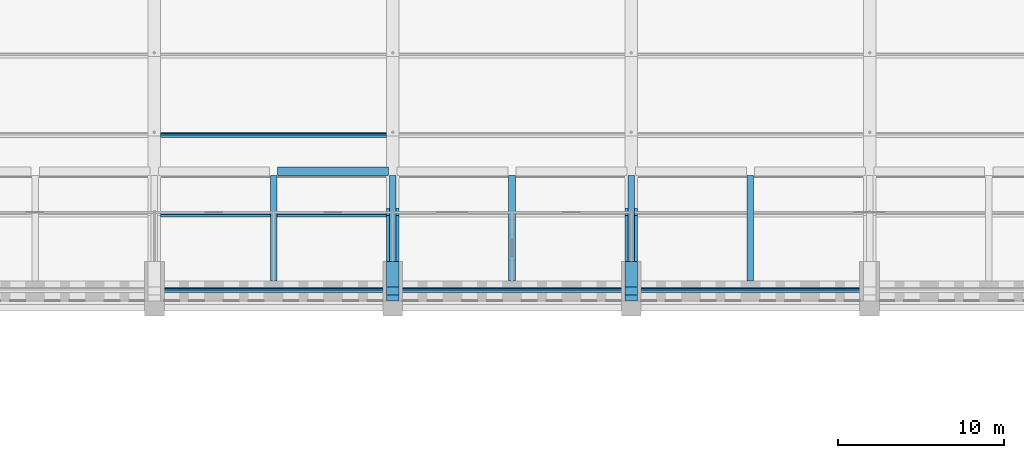
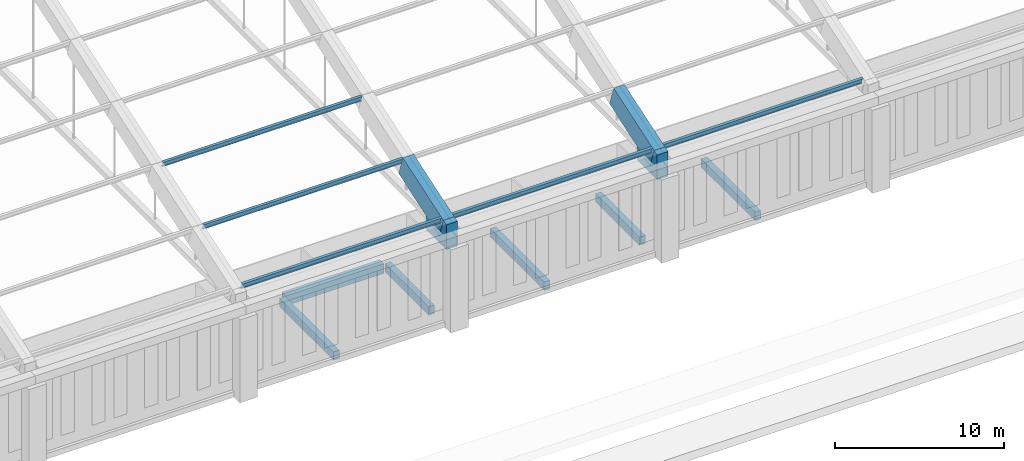
# One storey, part 13 of 149: 8 beams, 7 members.
"""IFC4 building model written with IfcOpenShell, lengths in metres."""

import ifcopenshell
import ifcopenshell.guid

model = None  # the IFC model being written
_history = None  # IfcOwnerHistory: only IFC2X3 demands one
_inside = {}  # id of a spatial element -> (the spatial element, [elements in it])
_under = {}  # id of a project, library or spatial element -> (it, [spatial elements below it])
_declared = {}  # id of a project -> (the project, [libraries it declares])
_typed = {}  # id of a type object -> (the type object, [elements of that type])
_made_of = {}  # id of a material, layer set ... -> (it, [elements and type objects made of it])


def new_model(schema):
    """Start an empty IFC model of exactly this schema.

    Asked for "IFC4X3", IfcOpenShell would pick the latest addendum, in which some entities
    have other attributes; the version numbers below select the first issue.
    IFC2X3 requires an IfcOwnerHistory on every rooted entity: one is made here for all.
    """
    global model, _history
    if schema == "IFC4X3":
        model = ifcopenshell.file(schema_version=(4, 3, 0, 0))
    else:
        model = ifcopenshell.file(schema=schema)
    _inside.clear()
    _under.clear()
    _declared.clear()
    _typed.clear()
    _made_of.clear()
    _history = None
    if model.schema == "IFC2X3":
        org = make("IfcOrganization", Name="unknown")
        user = make(
            "IfcPersonAndOrganization",
            ThePerson=make("IfcPerson", FamilyName="unknown"),
            TheOrganization=org,
        )
        app = make(
            "IfcApplication",
            ApplicationDeveloper=org,
            Version="unknown",
            ApplicationFullName="unknown",
            ApplicationIdentifier="unknown",
        )
        _history = make(
            "IfcOwnerHistory",
            OwningUser=user,
            OwningApplication=app,
            ChangeAction="ADDED",
            CreationDate=0,
        )
    return model


def make(cls, **values):
    """One entity of the class cls with the attributes given. An attribute that is None is left unset."""
    return model.create_entity(
        cls, **{name: value for name, value in values.items() if value is not None}
    )


def rooted(cls, **values):
    """An entity with a GlobalId (a new one), such as an element, a storey or a relation."""
    return make(cls, GlobalId=ifcopenshell.guid.new(), OwnerHistory=_history, **values)


def si_unit(unit_type, name, prefix=None):
    """IfcSIUnit, for example si_unit("LENGTHUNIT", "METRE", prefix="MILLI")."""
    return make("IfcSIUnit", UnitType=unit_type, Prefix=prefix, Name=name)


def assignment(units):
    """IfcUnitAssignment: the units of a project."""
    return None if units is None else make("IfcUnitAssignment", Units=units)


def point(xyz):
    """IfcCartesianPoint."""
    return None if xyz is None else make("IfcCartesianPoint", Coordinates=xyz)


def direction(xyz):
    """IfcDirection."""
    return None if xyz is None else make("IfcDirection", DirectionRatios=xyz)


def frame(location, z_axis=None, x_axis=None):
    """IfcAxis2Placement3D, a coordinate frame: its origin and axes. An axis left out is left unset."""
    return make(
        "IfcAxis2Placement3D",
        Location=point(location),
        Axis=direction(z_axis),
        RefDirection=direction(x_axis),
    )


def frame_2d(location, x_axis=None):
    """IfcAxis2Placement2D, a coordinate frame in the plane: its origin and x axis."""
    return make(
        "IfcAxis2Placement2D", Location=point(location), RefDirection=direction(x_axis)
    )


def origin():
    """The frame at (0, 0, 0) with its axes left unset."""
    return frame((0.0, 0.0, 0.0))


def origin_2d():
    """The frame at (0, 0) in the plane with its x axis left unset."""
    return frame_2d((0.0, 0.0))


def place(relative_to, where):
    """IfcLocalPlacement: puts the frame where relative to a parent placement (None: the world)."""
    return make(
        "IfcLocalPlacement", PlacementRelTo=relative_to, RelativePlacement=where
    )


def context(
    kind, dimensions, precision=None, world=None, true_north=None, identifier=None
):
    """IfcGeometricRepresentationContext, for example the 3D "Model" context."""
    return make(
        "IfcGeometricRepresentationContext",
        ContextIdentifier=identifier,
        ContextType=kind,
        CoordinateSpaceDimension=dimensions,
        Precision=precision,
        WorldCoordinateSystem=world,
        TrueNorth=true_north,
    )


def subcontext(parent, identifier, kind, view, scale=None):
    """IfcGeometricRepresentationSubContext, for example "Body" below "Model"."""
    return make(
        "IfcGeometricRepresentationSubContext",
        ContextIdentifier=identifier,
        ContextType=kind,
        ParentContext=parent,
        TargetScale=scale,
        TargetView=view,
    )


def project(units=None, contexts=None):
    """IfcProject with its units and contexts."""
    return rooted(
        "IfcProject",
        Name="project",
        RepresentationContexts=contexts,
        UnitsInContext=assignment(units),
    )


def spatial(cls, under=None, at=None, **own):
    """A site, building, storey or space (cls), placed at a placement, below another one or the project."""
    s = rooted(cls, ObjectPlacement=at, **own)
    if under is not None:
        _under.setdefault(under.id(), (under, []))[1].append(s)
    return s


def polyline(points):
    """IfcPolyline through the points."""
    return make("IfcPolyline", Points=[point(p) for p in points])


def profile(cls, at=None, kind="AREA", **sizes):
    """A parametric profile (cls). Its sizes go by their IFC names, for example OverallWidth=200.0."""
    return make(cls, ProfileType=kind, Position=at, **sizes)


def rectangle(**sizes):
    """IfcRectangleProfileDef."""
    return profile("IfcRectangleProfileDef", **sizes)


def i_section(**sizes):
    """IfcIShapeProfileDef."""
    return profile("IfcIShapeProfileDef", **sizes)


def outline(outer, holes=None, kind="AREA"):
    """IfcArbitraryClosedProfileDef: a profile drawn as a closed curve; with holes, ...WithVoids."""
    if holes is None:
        return make("IfcArbitraryClosedProfileDef", ProfileType=kind, OuterCurve=outer)
    return make(
        "IfcArbitraryProfileDefWithVoids",
        ProfileType=kind,
        OuterCurve=outer,
        InnerCurves=holes,
    )


def extrude(swept, where, along, depth):
    """IfcExtrudedAreaSolid: the profile swept, set in the frame where, extruded along a direction by depth."""
    return make(
        "IfcExtrudedAreaSolid",
        SweptArea=swept,
        Position=where,
        ExtrudedDirection=direction(along),
        Depth=depth,
    )


def shape(context_of_items, identifier, shape_type, items):
    """IfcShapeRepresentation: the items that make up one representation, for example the "Body"."""
    return make(
        "IfcShapeRepresentation",
        ContextOfItems=context_of_items,
        RepresentationIdentifier=identifier,
        RepresentationType=shape_type,
        Items=items,
    )


def material(Name=None, Category=None):
    """IfcMaterial."""
    return make("IfcMaterial", Name=Name, Category=Category)


def material_profile(
    of_material, cross_section, Name=None, Category=None, Priority=None
):
    """IfcMaterialProfile: a cross section and its material."""
    return make(
        "IfcMaterialProfile",
        Name=Name,
        Material=of_material,
        Profile=cross_section,
        Priority=Priority,
        Category=Category,
    )


def profile_set(profiles, Name=None, composite=None):
    """IfcMaterialProfileSet."""
    return make(
        "IfcMaterialProfileSet",
        Name=Name,
        MaterialProfiles=profiles,
        CompositeProfile=composite,
    )


def made_of(thing, what):
    """Note that an element or type object is made of a material, layer set ...; save() writes the relation."""
    if what is not None:
        _made_of.setdefault(what.id(), (what, []))[1].append(thing)
    return thing


def type_object(cls, material=None, **own):
    """A type object (cls), such as IfcWallType, which elements share."""
    return made_of(rooted(cls, **own), material)


def element(
    cls,
    number,
    at=None,
    inside=None,
    cuts=None,
    type_object=None,
    material=None,
    context=None,
    identifier="Body",
    shape_type=None,
    held_by="IfcProductDefinitionShape",
    body=None,
    shapes=None,
    **own,
):
    """One element of the class cls, such as IfcWall. Its Tag is "e" and its number.

    at: its placement. inside: the storey or other place that contains it. cuts: it is an
    opening in that element (IfcRelVoidsElement). A single representation is given by context,
    identifier, shape_type and body (its items); several are given by shapes. held_by: the class
    of the entity that holds the representations. save() writes the other relations.
    """
    e = rooted(cls, Tag="e%d" % number, ObjectPlacement=at, **own)
    if body is not None:
        shapes = [shape(context, identifier, shape_type, body)]
    if shapes is not None:
        e.Representation = make(held_by, Representations=shapes)
    if inside is not None:
        _inside.setdefault(inside.id(), (inside, []))[1].append(e)
    if cuts is not None:
        rooted(
            "IfcRelVoidsElement", RelatingBuildingElement=cuts, RelatedOpeningElement=e
        )
    if type_object is not None:
        _typed.setdefault(type_object.id(), (type_object, []))[1].append(e)
    return made_of(e, material)


def aggregate(whole, parts):
    """IfcRelAggregates: a whole, such as a stair, and the parts it consists of."""
    return rooted("IfcRelAggregates", RelatingObject=whole, RelatedObjects=parts)


def save(model, path):
    """Write the relations noted so far, then the file.

    IfcRelAggregates (storeys below a building ...), IfcRelContainedInSpatialStructure (elements
    in a storey), IfcRelDefinesByType, IfcRelAssociatesMaterial and IfcRelDeclares: one each for
    every whole, place, type object, material and project.
    """
    for whole, parts in _under.values():
        aggregate(whole, parts)
    for where, things in _inside.values():
        rooted(
            "IfcRelContainedInSpatialStructure",
            RelatedElements=things,
            RelatingStructure=where,
        )
    for kind, things in _typed.values():
        rooted("IfcRelDefinesByType", RelatedObjects=things, RelatingType=kind)
    for what, things in _made_of.values():
        rooted("IfcRelAssociatesMaterial", RelatedObjects=things, RelatingMaterial=what)
    for by, libraries in _declared.values():
        rooted("IfcRelDeclares", RelatingContext=by, RelatedDefinitions=libraries)
    model.write(path)


model = new_model("IFC4")

# Units and contexts
model_context = context("Model", 3, precision=1e-05, world=origin(), true_north=direction((0.0, 1.0)))
body_context = subcontext(model_context, "Body", "Model", "MODEL_VIEW")
ifc_project = project(units=[si_unit("LENGTHUNIT", "METRE"), si_unit("AREAUNIT", "SQUARE_METRE"), si_unit("VOLUMEUNIT", "CUBIC_METRE"), si_unit("PLANEANGLEUNIT", "RADIAN"), si_unit("MASSUNIT", "GRAM", prefix="KILO")], contexts=[model_context])

# Site, building, storey
site_placement = place(None, origin())
site = spatial("IfcSite", under=ifc_project, at=site_placement, CompositionType="ELEMENT")
building_placement = place(site_placement, origin())
building = spatial("IfcBuilding", under=site, at=building_placement, Name="Alderwick Market Hall", CompositionType="ELEMENT")
storey_placement = place(building_placement, frame((0.0, 0.0, 9.60009765625)))
storey = spatial("IfcBuildingStorey", under=building, at=storey_placement, Name="L01", CompositionType="ELEMENT", Elevation=9.60009765625)

# Beams
ifc_material_1 = material(Name="Concrete 5000 psi (f'c 35 MPa)", Category="concrete")
ifc_material_profile_1 = material_profile(ifc_material_1, rectangle(XDim=0.5, YDim=0.699951171875, at=origin_2d()), Name="RC 500x700")
ifc_profile_set_1 = profile_set([ifc_material_profile_1], Name="Concrete 5000 psi (f'c 35 MPa)")
beam_type_1 = type_object("IfcBeamType", Name="H Edge beam 500x700", PredefinedType="BEAM", material=ifc_profile_set_1)
beam_1_placement = place(storey_placement, frame((86.64990234375, 57.639892578125, -0.60009765625), z_axis=(1.0, 0.0, 0.0), x_axis=(0.0, 1.0, 0.0)))
element("IfcBeam", 1, at=beam_1_placement, inside=storey, type_object=beam_type_1, Name="Gallery edge beam S", PredefinedType="BEAM", context=body_context, shape_type="SweptSolid", body=[
    extrude(rectangle(XDim=0.5, YDim=0.699951171875, at=origin_2d()), origin(), (0.0, 0.0, 1.0), 6.7001953125),
])
ifc_material_profile_2 = material_profile(ifc_material_1, rectangle(XDim=0.39990234375, YDim=0.60009765625, at=origin_2d()), Name="RC 400x600")
ifc_profile_set_2 = profile_set([ifc_material_profile_2], Name="Concrete 5000 psi (f'c 35 MPa)")
beam_type_2 = type_object("IfcBeamType", Name="H Gallery beam 400x600", PredefinedType="BEAM", material=ifc_profile_set_2)
beam_2_placement = place(storey_placement, frame((86.39990234375, 51.0, -0.550048828125), z_axis=(0.0, 1.0, 0.0), x_axis=(-1.0, 0.0, 0.0)))
element("IfcBeam", 2, at=beam_2_placement, inside=storey, type_object=beam_type_2, Name="Gallery beam S", PredefinedType="BEAM", context=body_context, shape_type="SweptSolid", body=[
    extrude(rectangle(XDim=0.39990234375, YDim=0.60009765625, at=origin_2d()), origin(), (0.0, 0.0, 1.0), 6.389892578125),
])
beam_3_placement = place(storey_placement, frame((93.60009765625, 52.199951171875, -0.550048828125), z_axis=(0.0, 1.0, 0.0), x_axis=(-1.0, 0.0, 0.0)))
element("IfcBeam", 3, at=beam_3_placement, inside=storey, type_object=beam_type_2, Name="Gallery beam S", PredefinedType="BEAM", context=body_context, shape_type="SweptSolid", body=[
    extrude(rectangle(XDim=0.39990234375, YDim=0.60009765625, at=origin_2d()), origin(), (0.0, 0.0, 1.0), 5.18994140625),
])
beam_4_placement = place(storey_placement, frame((100.800048828125, 51.0, -0.550048828125), z_axis=(0.0, 1.0, 0.0), x_axis=(-1.0, 0.0, 0.0)))
element("IfcBeam", 4, at=beam_4_placement, inside=storey, type_object=beam_type_2, Name="Gallery beam S", PredefinedType="BEAM", context=body_context, shape_type="SweptSolid", body=[
    extrude(rectangle(XDim=0.39990234375, YDim=0.60009765625, at=origin_2d()), origin(), (0.0, 0.0, 1.0), 6.389892578125),
])
beam_5_placement = place(storey_placement, frame((108.0, 52.199951171875, -0.550048828125), z_axis=(0.0, 1.0, 0.0), x_axis=(-1.0, 0.0, 0.0)))
element("IfcBeam", 5, at=beam_5_placement, inside=storey, type_object=beam_type_2, Name="Gallery beam S", PredefinedType="BEAM", context=body_context, shape_type="SweptSolid", body=[
    extrude(rectangle(XDim=0.39990234375, YDim=0.60009765625, at=origin_2d()), origin(), (0.0, 0.0, 1.0), 5.18994140625),
])
beam_6_placement = place(storey_placement, frame((115.199951171875, 51.0, -0.550048828125), z_axis=(0.0, 1.0, 0.0), x_axis=(-1.0, 0.0, 0.0)))
element("IfcBeam", 6, at=beam_6_placement, inside=storey, type_object=beam_type_2, Name="Gallery beam S", PredefinedType="BEAM", context=body_context, shape_type="SweptSolid", body=[
    extrude(rectangle(XDim=0.39990234375, YDim=0.60009765625, at=origin_2d()), origin(), (0.0, 0.0, 1.0), 6.389892578125),
])
ifc_material_profile_3 = material_profile(ifc_material_1, rectangle(XDim=0.75, YDim=1.5, at=origin_2d()), Name="RC 750x1500")
ifc_profile_set_3 = profile_set([ifc_material_profile_3], Name="Concrete 5000 psi (f'c 35 MPa)")
beam_type_3 = type_object("IfcBeamType", Name="R Arch Rib Springing 750x1500", PredefinedType="BEAM", material=ifc_profile_set_3)
for number, where, z_axis, x_axis, name in (
    (7, (93.60009765625, 50.39990234375, 6.599853515625), (0.0, 0.948678472761, 0.316242241517), (-1.0, 0.0, 0.0), "Arch rib 4 chord 1"),
    (8, (108.0, 50.39990234375, 6.599853515625), (0.0, 0.948678472761, 0.316242241517), (-1.0, 0.0, 0.0), "Arch rib 5 chord 1"),
):
    element("IfcBeam", number, at=place(storey_placement, frame(where, z_axis=z_axis, x_axis=x_axis)), inside=storey, type_object=beam_type_3, Name=name, PredefinedType="BEAM", context=body_context, shape_type="SweptSolid", body=[
        extrude(rectangle(XDim=0.75, YDim=1.5, at=origin_2d()), origin(), (0.0, 0.0, 1.0), 5.059814453125),
    ])

# Members
ifc_material_2 = material(Name="Steel ASTM A992 Grade 50", Category="steel")
ifc_material_profile_4 = material_profile(ifc_material_2, i_section(OverallWidth=0.153076171875, OverallDepth=0.455078125, WebThickness=0.008056640625, FlangeThickness=0.01318359375, at=origin_2d()), Name="W18x40")
ifc_profile_set_4 = profile_set([ifc_material_profile_4], Name="Steel ASTM A992 Grade 50")
member_type_1 = type_object("IfcMemberType", Name="R Purlin W18x40", PredefinedType="PURLIN", material=ifc_profile_set_4)
member_placement = place(storey_placement, frame((79.574951171875, 50.473876953125, 7.1689453125), z_axis=(1.0, 0.0, 0.0), x_axis=(0.0, 0.948683297073, 0.316227768949)))
element("IfcMember", 9, at=member_placement, inside=storey, type_object=member_type_1, Name="Roof purlin 1.3", PredefinedType="PURLIN", context=body_context, shape_type="SweptSolid", body=[
    extrude(i_section(OverallWidth=0.153076171875, OverallDepth=0.455078125, WebThickness=0.008056640625, FlangeThickness=0.01318359375, at=origin_2d()), origin(), (0.0, 0.0, 1.0), 13.650146484375),
])
for number, where, z_axis, x_axis, name in (
    (10, (93.97509765625, 50.473876953125, 7.1689453125), (1.0, 0.0, 0.0), (0.0, 0.948683297073, 0.316227768949), "Roof purlin 1.4"),
    (11, (108.375, 50.473876953125, 7.1689453125), (1.0, 0.0, 0.0), (0.0, 0.948683297073, 0.316227768949), "Roof purlin 1.5"),
):
    element("IfcMember", number, at=place(storey_placement, frame(where, z_axis=z_axis, x_axis=x_axis)), inside=storey, type_object=member_type_1, Name=name, PredefinedType="PURLIN", context=body_context, shape_type="SweptSolid", body=[
        extrude(i_section(OverallWidth=0.153076171875, OverallDepth=0.455078125, WebThickness=0.008056640625, FlangeThickness=0.01318359375, at=origin_2d()), origin(), (0.0, 0.0, 1.0), 13.64990234375),
    ])
for number, where, z_axis, x_axis, name in (
    (12, (79.574951171875, 55.03662109375, 8.68994140625), (1.0, 0.0, 0.0), (0.0, 0.948683297073, 0.316227768949), "Roof purlin 2.3"),
    (13, (79.574951171875, 59.836669921875, 10.289794921875), (1.0, 0.0, 0.0), (0.0, 0.948683297073, 0.316227768949), "Roof purlin 3.3"),
):
    element("IfcMember", number, at=place(storey_placement, frame(where, z_axis=z_axis, x_axis=x_axis)), inside=storey, type_object=member_type_1, Name=name, PredefinedType="PURLIN", context=body_context, shape_type="SweptSolid", body=[
        extrude(i_section(OverallWidth=0.153076171875, OverallDepth=0.455078125, WebThickness=0.008056640625, FlangeThickness=0.01318359375, at=origin_2d()), origin(), (0.0, 0.0, 1.0), 13.650146484375),
    ])
ifc_material_profile_5 = material_profile(ifc_material_1, outline(polyline([(0.0, 0.0), (2.39990234375, 0.0), (2.39990234375, 1.009521484375), (0.837158203125, 0.488525390625), (0.36279296875, 1.91162109375), (0.0, 1.79052734375), (0.0, 0.0)])), Name="RC skewback S")
ifc_profile_set_5 = profile_set([ifc_material_profile_5], Name="Concrete 5000 psi (f'c 35 MPa)")
member_type_2 = type_object("IfcMemberType", Name="R Springing Skewback South", PredefinedType="MEMBER", material=ifc_profile_set_5)
for number, where, z_axis, x_axis, name in (
    (14, (93.22509765625, 49.800048828125, 5.39990234375), (1.0, 0.0, 0.0), (0.0, 1.0, 0.0), "Springing skewback S4"),
    (15, (107.625, 49.800048828125, 5.39990234375), (1.0, 0.0, 0.0), (0.0, 1.0, 0.0), "Springing skewback S5"),
):
    element("IfcMember", number, at=place(storey_placement, frame(where, z_axis=z_axis, x_axis=x_axis)), inside=storey, type_object=member_type_2, Name=name, PredefinedType="MEMBER", context=body_context, shape_type="SweptSolid", body=[
        extrude(outline(polyline([(0.0, 0.0), (2.39990234375, 0.0), (2.39990234375, 1.009521484375), (0.837158203125, 0.488525390625), (0.36279296875, 1.91162109375), (0.0, 1.79052734375), (0.0, 0.0)])), origin(), (0.0, 0.0, 1.0), 0.75),
    ])

save(model, "model.ifc")
